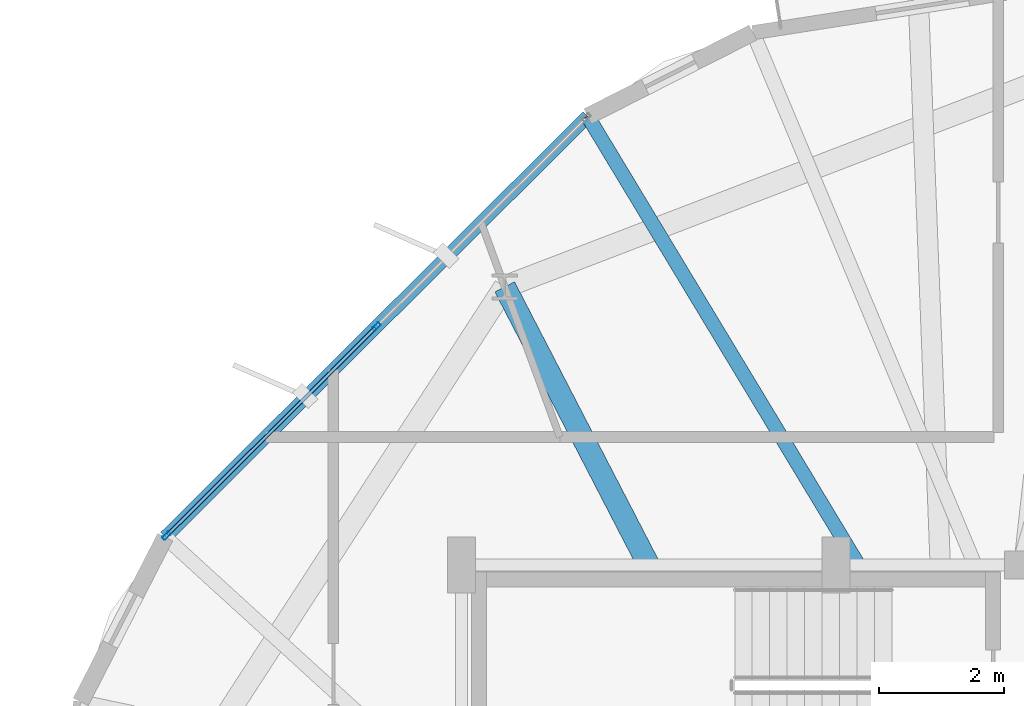
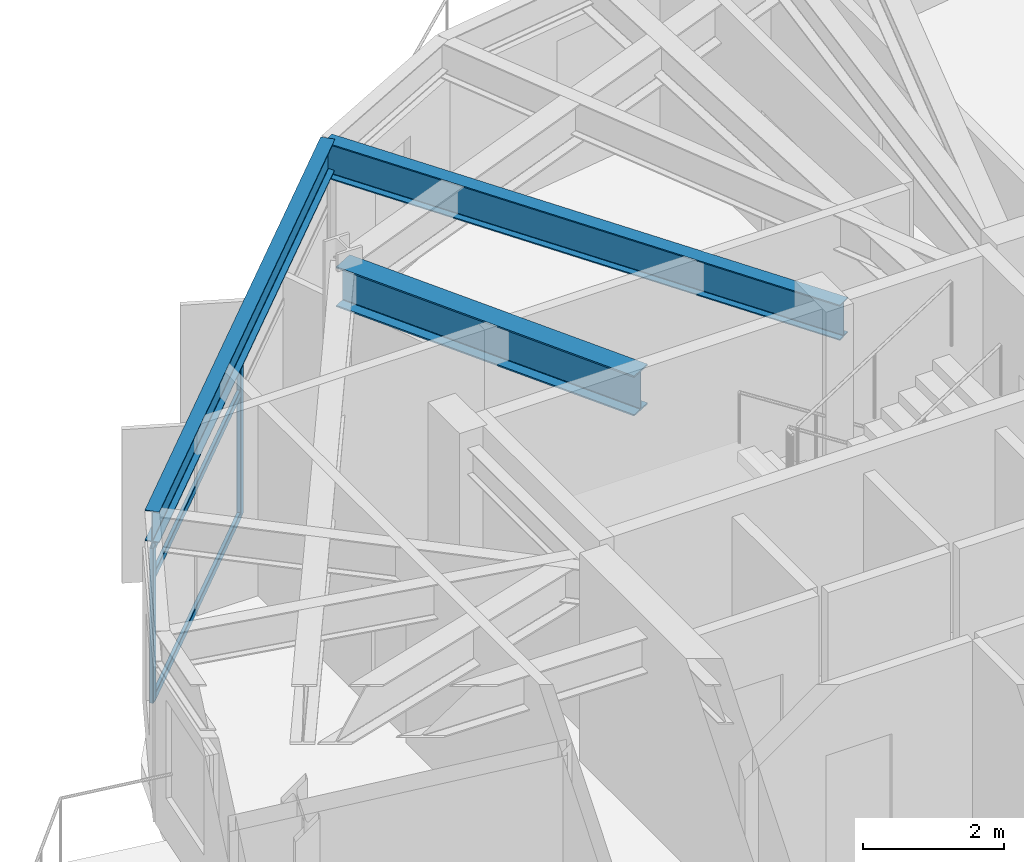
# One storey, part 13 of 27: 5 members, 3 beams, 1 element without a shape of its own.
"""IFC4 building model written with IfcOpenShell, lengths in metres."""

from ifc_helpers import new_model, si_unit, direction, frame, origin, origin_2d, place, context, subcontext, project, spatial, hollow_rectangle, i_section, extrude, material, layer, layer_set, material_profile, profile_set, type_object, element, aggregate, save


model = new_model("IFC4")

# Units and contexts
model_context = context("Model", 3, precision=1e-05, world=origin(), true_north=direction((0.0, 1.0)))
body_context = subcontext(model_context, "Body", "Model", "MODEL_VIEW")
ifc_project = project(units=[si_unit("LENGTHUNIT", "METRE"), si_unit("AREAUNIT", "SQUARE_METRE"), si_unit("VOLUMEUNIT", "CUBIC_METRE"), si_unit("PLANEANGLEUNIT", "RADIAN"), si_unit("MASSUNIT", "GRAM", prefix="KILO")], contexts=[model_context])

# Site, building, storey
site_placement = place(None, origin())
site = spatial("IfcSite", under=ifc_project, at=site_placement, CompositionType="ELEMENT")
building_placement = place(site_placement, origin())
building = spatial("IfcBuilding", under=site, at=building_placement, Name="Soratama Intermodal Tower", CompositionType="ELEMENT")
storey_placement = place(building_placement, frame((0.0, 0.0, 197.800048828125)))
storey = spatial("IfcBuildingStorey", under=building, at=storey_placement, Name="L49", CompositionType="ELEMENT", Elevation=197.800048828125)

# Beams
ifc_material_1 = material(Name="Structural steel ASTM A992 Grade 50", Category="steel")
ifc_material_profile_1 = material_profile(ifc_material_1, i_section(OverallWidth=0.35498046875, OverallDepth=0.695068359375, WebThickness=0.015380859375, FlangeThickness=0.02490234375, FilletRadius=0.01611328125, at=origin_2d()), Name="W27X146")
ifc_profile_set_1 = profile_set([ifc_material_profile_1], Name="Structural steel ASTM A992 Grade 50")
beam_type_1 = type_object("IfcBeamType", Name="BM-RING-W27X146", PredefinedType="BEAM", material=ifc_profile_set_1)
beam_1_placement = place(storey_placement, frame((35.60009765625, 35.0, 2.952392578125), z_axis=(-0.459552673174, 0.888150516849, 0.0), x_axis=(-0.888150516849, -0.459552673174, 0.0)))
element("IfcBeam", 1, at=beam_1_placement, inside=storey, type_object=beam_type_1, Name="BM-L49-RAD-04", PredefinedType="BEAM", context=body_context, shape_type="SweptSolid", body=[
    extrude(i_section(OverallWidth=0.35498046875, OverallDepth=0.695068359375, WebThickness=0.015380859375, FlangeThickness=0.02490234375, FilletRadius=0.01611328125, at=origin_2d()), origin(), (0.0, 0.0, 1.0), 5.01611328125),
])
ifc_material_2 = material(Name="Structural steel ASTM A992 Grade 50", Category="steel")
ifc_material_profile_2 = material_profile(ifc_material_2, i_section(OverallWidth=0.2099609375, OverallDepth=0.537109375, WebThickness=0.010986328125, FlangeThickness=0.017333984375, FilletRadius=0.012939453125, at=origin_2d()), Name="W21X68")
ifc_profile_set_2 = profile_set([ifc_material_profile_2], Name="Structural steel ASTM A992 Grade 50")
beam_type_2 = type_object("IfcBeamType", Name="BM-SPN-W21X68", PredefinedType="SPANDREL", material=ifc_profile_set_2)
beam_2_placement = place(storey_placement, frame((34.625, 42.18701171875, 3.031494140625), z_axis=(-0.708625857148, -0.705584434764, 0.0), x_axis=(0.705584434764, -0.708625857148, 0.0)))
element("IfcBeam", 2, at=beam_2_placement, inside=storey, type_object=beam_type_2, Name="BS-L49-F03", PredefinedType="SPANDREL", context=body_context, shape_type="SweptSolid", body=[
    extrude(i_section(OverallWidth=0.2099609375, OverallDepth=0.537109375, WebThickness=0.010986328125, FlangeThickness=0.017333984375, FilletRadius=0.012939453125, at=origin_2d()), origin(), (0.0, 0.0, 1.0), 9.55224609375),
])
ifc_material_3 = material(Name="Structural steel ASTM A992 Grade 50", Category="steel")
ifc_material_profile_3 = material_profile(ifc_material_3, i_section(OverallWidth=0.22900390625, OverallDepth=0.612060546875, WebThickness=0.011962890625, FlangeThickness=0.01953125, FilletRadius=0.012939453125, at=origin_2d()), Name="W24X84")
ifc_profile_set_3 = profile_set([ifc_material_profile_3], Name="Structural steel ASTM A992 Grade 50")
beam_type_3 = type_object("IfcBeamType", Name="BM-TIE-W24X84", PredefinedType="BEAM", material=ifc_profile_set_3)
beam_3_placement = place(storey_placement, frame((38.943115234375, 35.033935546875, 2.993896484375), z_axis=(-0.516805665412, 0.856102741613, 0.0), x_axis=(-0.856102741613, -0.516805665412, 0.0)))
element("IfcBeam", 3, at=beam_3_placement, inside=storey, type_object=beam_type_3, Name="BM-L49-TIE0-03", PredefinedType="BEAM", context=body_context, shape_type="SweptSolid", body=[
    extrude(i_section(OverallWidth=0.22900390625, OverallDepth=0.612060546875, WebThickness=0.011962890625, FlangeThickness=0.01953125, FilletRadius=0.012939453125, at=origin_2d()), origin(), (0.0, 0.0, 1.0), 8.35546875),
])

# Curtain wall, members
ifc_material_4 = material(Name="Double-glazed aluminium curtain wall", Category="aluminium")
ifc_layer = layer(ifc_material_4, 0.159912109375)
ifc_layer_set = layer_set([ifc_layer], Name="Double-glazed aluminium curtain wall")
curtain_wall_type = type_object("IfcCurtainWallType", Name="CW-SYS-5", PredefinedType="NOTDEFINED", material=ifc_layer_set)
curtain_wall_placement = place(storey_placement, origin())
curtain_wall = element("IfcCurtainWall", 4, at=curtain_wall_placement, inside=storey, type_object=curtain_wall_type, Name="L49 Faceted Curtain Wall F03", PredefinedType="NOTDEFINED")
ifc_material_5 = material(Name="Anodised aluminium AA 6063-T6", Category="aluminium")
ifc_material_profile_4 = material_profile(ifc_material_5, hollow_rectangle(XDim=0.06494140625, YDim=0.139892578125, WallThickness=0.0048828125, InnerFilletRadius=0.0048828125, OuterFilletRadius=0.010009765625, at=origin_2d()), Name="CWM140X65X5")
ifc_profile_set_4 = profile_set([ifc_material_profile_4], Name="Anodised aluminium AA 6063-T6")
member_type_1 = type_object("IfcMemberType", Name="MT-CWM-5", PredefinedType="MULLION", material=ifc_profile_set_4)
member_1_placement = place(storey_placement, frame((31.240478515625, 38.817138671875, 0.0), z_axis=(0.0, 0.0, 1.0), x_axis=(0.705623904067, -0.708586555058, 0.0)))
member_1 = element("IfcMember", 5, at=member_1_placement, type_object=member_type_1, Name="CW-5 mullion 2", PredefinedType="MULLION", context=body_context, shape_type="SweptSolid", body=[
    extrude(hollow_rectangle(XDim=0.06494140625, YDim=0.139892578125, WallThickness=0.0048828125, InnerFilletRadius=0.0048828125, OuterFilletRadius=0.010009765625, at=origin_2d()), origin(), (0.0, 0.0, 1.0), 2.678955078125),
])
member_2_placement = place(storey_placement, frame((27.87744140625, 35.46826171875, 0.0), z_axis=(0.0, 0.0, 1.0), x_axis=(0.705623904067, -0.708586555058, 0.0)))
member_2 = element("IfcMember", 6, at=member_2_placement, type_object=member_type_1, Name="CW-5 mullion 3", PredefinedType="MULLION", context=body_context, shape_type="SweptSolid", body=[
    extrude(hollow_rectangle(XDim=0.06494140625, YDim=0.139892578125, WallThickness=0.0048828125, InnerFilletRadius=0.0048828125, OuterFilletRadius=0.010009765625, at=origin_2d()), origin(), (0.0, 0.0, 1.0), 2.678955078125),
])
ifc_material_6 = material(Name="Anodised aluminium AA 6063-T6", Category="aluminium")
ifc_material_profile_5 = material_profile(ifc_material_6, hollow_rectangle(XDim=0.06005859375, YDim=0.1298828125, WallThickness=0.0048828125, InnerFilletRadius=0.0048828125, OuterFilletRadius=0.010009765625, at=origin_2d()), Name="CWT130X60X5")
ifc_profile_set_5 = profile_set([ifc_material_profile_5], Name="Anodised aluminium AA 6063-T6")
member_type_2 = type_object("IfcMemberType", Name="TT-CWT-2", PredefinedType="USERDEFINED", material=ifc_profile_set_5)
member_3_placement = place(storey_placement, frame((31.21923828125, 38.7958984375, 0.030029296875), z_axis=(-0.708564084785, -0.705646467966, 0.0), x_axis=(0.705646467966, -0.708564084785, 0.0)))
member_3 = element("IfcMember", 7, at=member_3_placement, type_object=member_type_2, Name="CW-5 transom 2.1", ObjectType="TRANSOM", PredefinedType="USERDEFINED", context=body_context, shape_type="SweptSolid", body=[
    extrude(hollow_rectangle(XDim=0.06005859375, YDim=0.1298828125, WallThickness=0.0048828125, InnerFilletRadius=0.0048828125, OuterFilletRadius=0.010009765625, at=origin_2d()), origin(), (0.0, 0.0, 1.0), 4.68603515625),
])
member_4_placement = place(storey_placement, frame((31.21923828125, 38.7958984375, 2.14990234375), z_axis=(-0.708564084785, -0.705646467966, 0.0), x_axis=(0.705646467966, -0.708564084785, 0.0)))
member_4 = element("IfcMember", 8, at=member_4_placement, type_object=member_type_2, Name="CW-5 transom 2.2", ObjectType="TRANSOM", PredefinedType="USERDEFINED", context=body_context, shape_type="SweptSolid", body=[
    extrude(hollow_rectangle(XDim=0.06005859375, YDim=0.1298828125, WallThickness=0.0048828125, InnerFilletRadius=0.0048828125, OuterFilletRadius=0.010009765625, at=origin_2d()), origin(), (0.0, 0.0, 1.0), 4.68603515625),
])
member_5_placement = place(storey_placement, frame((31.21923828125, 38.7958984375, 2.64892578125), z_axis=(-0.708564084785, -0.705646467966, 0.0), x_axis=(0.705646467966, -0.708564084785, 0.0)))
member_5 = element("IfcMember", 9, at=member_5_placement, type_object=member_type_2, Name="CW-5 transom 2.3", ObjectType="TRANSOM", PredefinedType="USERDEFINED", context=body_context, shape_type="SweptSolid", body=[
    extrude(hollow_rectangle(XDim=0.06005859375, YDim=0.1298828125, WallThickness=0.0048828125, InnerFilletRadius=0.0048828125, OuterFilletRadius=0.010009765625, at=origin_2d()), origin(), (0.0, 0.0, 1.0), 4.68603515625),
])
aggregate(curtain_wall, [member_1, member_2, member_3, member_4, member_5])

save(model, "model.ifc")
